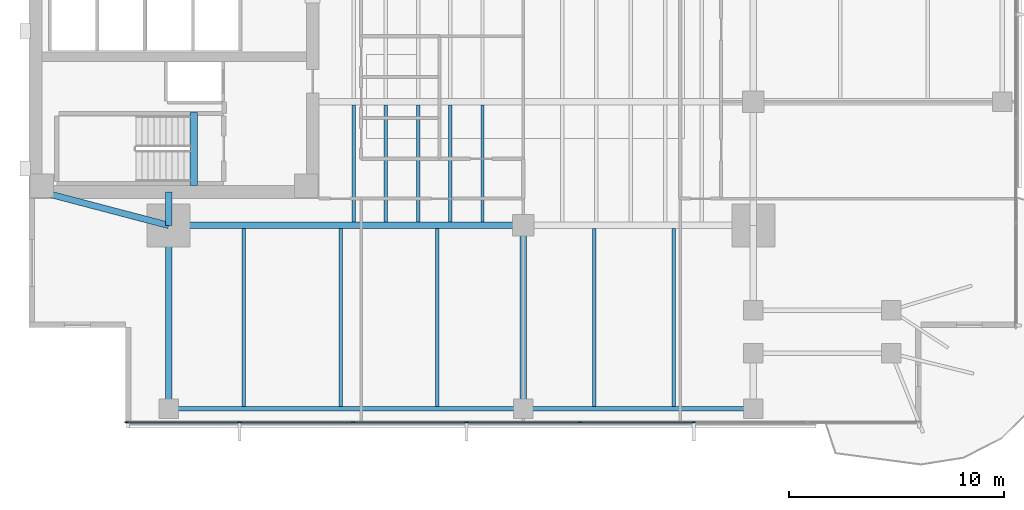
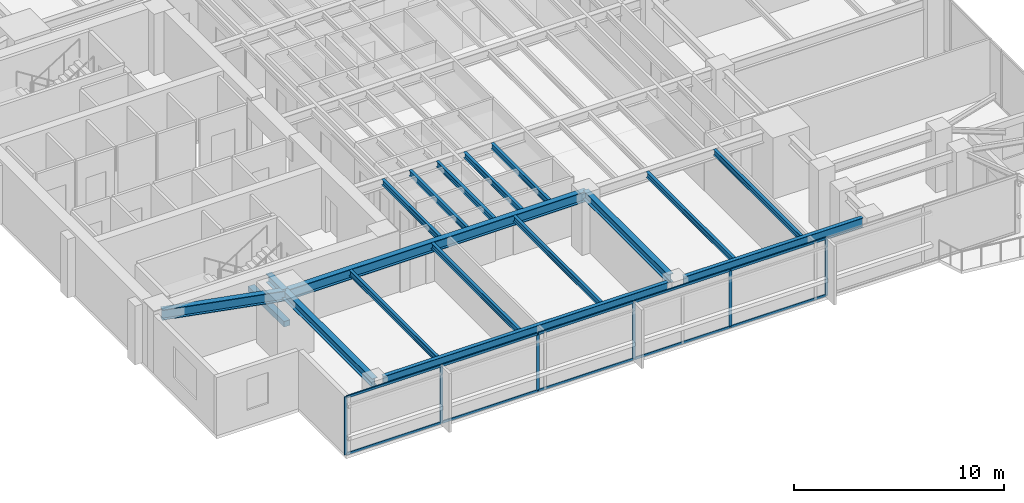
# One storey, part 2 of 14: 18 beams, 16 members, 1 element without a shape of its own.
"""IFC4 building model written with IfcOpenShell, lengths in metres."""

from ifc_helpers import new_model, si_unit, direction, frame, origin, origin_2d, place, context, subcontext, project, spatial, rectangle, i_section, extrude, material, layer, layer_set, material_profile, profile_set, type_object, element, aggregate, save


model = new_model("IFC4")

# Units and contexts
model_context = context("Model", 3, precision=1e-05, world=origin(), true_north=direction((0.0, 1.0)))
body_context = subcontext(model_context, "Body", "Model", "MODEL_VIEW")
ifc_project = project(units=[si_unit("LENGTHUNIT", "METRE"), si_unit("AREAUNIT", "SQUARE_METRE"), si_unit("VOLUMEUNIT", "CUBIC_METRE"), si_unit("PLANEANGLEUNIT", "RADIAN"), si_unit("MASSUNIT", "GRAM", prefix="KILO")], contexts=[model_context])

# Site, building, storey
site_placement = place(None, origin())
site = spatial("IfcSite", under=ifc_project, at=site_placement, CompositionType="ELEMENT")
building_placement = place(site_placement, origin())
building = spatial("IfcBuilding", under=site, at=building_placement, Name="Kinhvarn Gate Tower", CompositionType="ELEMENT")
storey_placement = place(building_placement, frame((0.0, 0.0, 148.39990234375)))
storey = spatial("IfcBuildingStorey", under=building, at=storey_placement, Name="L39", CompositionType="ELEMENT", Elevation=148.39990234375)

# Beam
ifc_material_1 = material(Name="Concrete C50/60", Category="concrete")
ifc_material_profile_1 = material_profile(ifc_material_1, rectangle(XDim=0.340087890625, YDim=0.320068359375, at=origin_2d()), Name="RC 340x320")
ifc_profile_set_1 = profile_set([ifc_material_profile_1], Name="Concrete C50/60")
beam_type_1 = type_object("IfcBeamType", Name="BM-LND-500", PredefinedType="BEAM", material=ifc_profile_set_1)
beam_1_placement = place(storey_placement, frame((12.1650390625, 14.60009765625, -0.159912109375), z_axis=(0.0, 1.0, 0.0), x_axis=(-1.0, 0.0, 0.0)))
element("IfcBeam", 1, at=beam_1_placement, inside=storey, type_object=beam_type_1, Name="Stair ST1 Landing Nosing Beam (L39)", PredefinedType="BEAM", context=body_context, shape_type="SweptSolid", body=[
    extrude(rectangle(XDim=0.340087890625, YDim=0.320068359375, at=origin_2d()), origin(), (0.0, 0.0, 1.0), 3.39990234375),
])

# Curtain wall, members
ifc_material_2 = material(Name="Anodised aluminium AW-6063", Category="aluminium")
ifc_layer = layer(ifc_material_2, 0.179931640625)
ifc_layer_set = layer_set([ifc_layer], Name="Anodised aluminium AW-6063")
curtain_wall_type = type_object("IfcCurtainWallType", Name="CW-SYS-3", PredefinedType="NOTDEFINED", material=ifc_layer_set)
curtain_wall_placement = place(storey_placement, origin())
curtain_wall = element("IfcCurtainWall", 2, at=curtain_wall_placement, inside=storey, type_object=curtain_wall_type, Name="Curtain Wall CW3 (L39)", PredefinedType="NOTDEFINED")
ifc_material_profile_2 = material_profile(ifc_material_2, rectangle(XDim=0.06494140625, YDim=0.159912109375, at=origin_2d()), Name="ALU 65x160")
ifc_profile_set_2 = profile_set([ifc_material_profile_2], Name="Anodised aluminium AW-6063")
member_type_1 = type_object("IfcMemberType", Name="CW-MUL-160", PredefinedType="MULLION", material=ifc_profile_set_2)
member_1_placement = place(storey_placement, frame((9.032470703125, 3.590087890625, 0.0), z_axis=(0.0, 0.0, 1.0), x_axis=(0.0, 1.0, 0.0)))
member_1 = element("IfcMember", 3, at=member_1_placement, type_object=member_type_1, Name="CW3 mullion 1", PredefinedType="MULLION", context=body_context, shape_type="SweptSolid", body=[
    extrude(rectangle(XDim=0.06494140625, YDim=0.159912109375, at=origin_2d()), origin(), (0.0, 0.0, 1.0), 3.3701171875),
])
member_2_placement = place(storey_placement, frame((14.28564453125, 3.590087890625, 0.0), z_axis=(0.0, 0.0, 1.0), x_axis=(0.0, 1.0, 0.0)))
member_2 = element("IfcMember", 4, at=member_2_placement, type_object=member_type_1, Name="CW3 mullion 2", PredefinedType="MULLION", context=body_context, shape_type="SweptSolid", body=[
    extrude(rectangle(XDim=0.06494140625, YDim=0.159912109375, at=origin_2d()), origin(), (0.0, 0.0, 1.0), 3.3701171875),
])
member_3_placement = place(storey_placement, frame((19.571533203125, 3.590087890625, 0.0), z_axis=(0.0, 0.0, 1.0), x_axis=(0.0, 1.0, 0.0)))
member_3 = element("IfcMember", 5, at=member_3_placement, type_object=member_type_1, Name="CW3 mullion 3", PredefinedType="MULLION", context=body_context, shape_type="SweptSolid", body=[
    extrude(rectangle(XDim=0.06494140625, YDim=0.159912109375, at=origin_2d()), origin(), (0.0, 0.0, 1.0), 3.3701171875),
])
member_4_placement = place(storey_placement, frame((24.857177734375, 3.590087890625, 0.0), z_axis=(0.0, 0.0, 1.0), x_axis=(0.0, 1.0, 0.0)))
member_4 = element("IfcMember", 6, at=member_4_placement, type_object=member_type_1, Name="CW3 mullion 4", PredefinedType="MULLION", context=body_context, shape_type="SweptSolid", body=[
    extrude(rectangle(XDim=0.06494140625, YDim=0.159912109375, at=origin_2d()), origin(), (0.0, 0.0, 1.0), 3.3701171875),
])
member_5_placement = place(storey_placement, frame((30.142822265625, 3.590087890625, 0.0), z_axis=(0.0, 0.0, 1.0), x_axis=(0.0, 1.0, 0.0)))
member_5 = element("IfcMember", 7, at=member_5_placement, type_object=member_type_1, Name="CW3 mullion 5", PredefinedType="MULLION", context=body_context, shape_type="SweptSolid", body=[
    extrude(rectangle(XDim=0.06494140625, YDim=0.159912109375, at=origin_2d()), origin(), (0.0, 0.0, 1.0), 3.3701171875),
])
member_6_placement = place(storey_placement, frame((35.428466796875, 3.590087890625, 0.0), z_axis=(0.0, 0.0, 1.0), x_axis=(0.0, 1.0, 0.0)))
member_6 = element("IfcMember", 8, at=member_6_placement, type_object=member_type_1, Name="CW3 mullion 6", PredefinedType="MULLION", context=body_context, shape_type="SweptSolid", body=[
    extrude(rectangle(XDim=0.06494140625, YDim=0.159912109375, at=origin_2d()), origin(), (0.0, 0.0, 1.0), 3.3701171875),
])
ifc_material_profile_3 = material_profile(ifc_material_2, rectangle(XDim=0.070068359375, YDim=0.139892578125, at=origin_2d()), Name="ALU 70x140")
ifc_profile_set_3 = profile_set([ifc_material_profile_3], Name="Anodised aluminium AW-6063")
member_type_2 = type_object("IfcMemberType", Name="CW-TRN-140", PredefinedType="USERDEFINED", material=ifc_profile_set_3)
member_7_placement = place(storey_placement, frame((9.06494140625, 3.590087890625, 0.03515625), z_axis=(1.0, 0.0, 0.0), x_axis=(0.0, 1.0, 0.0)))
member_7 = element("IfcMember", 9, at=member_7_placement, type_object=member_type_2, Name="CW3 transom 1.1", ObjectType="TRANSOM", PredefinedType="USERDEFINED", context=body_context, shape_type="SweptSolid", body=[
    extrude(rectangle(XDim=0.070068359375, YDim=0.139892578125, at=origin_2d()), origin(), (0.0, 0.0, 1.0), 5.188232421875),
])
member_8_placement = place(storey_placement, frame((9.06494140625, 3.590087890625, 3.335205078125), z_axis=(1.0, 0.0, 0.0), x_axis=(0.0, 1.0, 0.0)))
member_8 = element("IfcMember", 10, at=member_8_placement, type_object=member_type_2, Name="CW3 transom 1.2", ObjectType="TRANSOM", PredefinedType="USERDEFINED", context=body_context, shape_type="SweptSolid", body=[
    extrude(rectangle(XDim=0.070068359375, YDim=0.139892578125, at=origin_2d()), origin(), (0.0, 0.0, 1.0), 5.188232421875),
])
member_9_placement = place(storey_placement, frame((14.318115234375, 3.590087890625, 0.03515625), z_axis=(1.0, 0.0, 0.0), x_axis=(0.0, 1.0, 0.0)))
member_9 = element("IfcMember", 11, at=member_9_placement, type_object=member_type_2, Name="CW3 transom 2.1", ObjectType="TRANSOM", PredefinedType="USERDEFINED", context=body_context, shape_type="SweptSolid", body=[
    extrude(rectangle(XDim=0.070068359375, YDim=0.139892578125, at=origin_2d()), origin(), (0.0, 0.0, 1.0), 5.220703125),
])
member_10_placement = place(storey_placement, frame((14.318115234375, 3.590087890625, 3.335205078125), z_axis=(1.0, 0.0, 0.0), x_axis=(0.0, 1.0, 0.0)))
member_10 = element("IfcMember", 12, at=member_10_placement, type_object=member_type_2, Name="CW3 transom 2.2", ObjectType="TRANSOM", PredefinedType="USERDEFINED", context=body_context, shape_type="SweptSolid", body=[
    extrude(rectangle(XDim=0.070068359375, YDim=0.139892578125, at=origin_2d()), origin(), (0.0, 0.0, 1.0), 5.220703125),
])
member_11_placement = place(storey_placement, frame((19.60400390625, 3.590087890625, 0.03515625), z_axis=(1.0, 0.0, 0.0), x_axis=(0.0, 1.0, 0.0)))
member_11 = element("IfcMember", 13, at=member_11_placement, type_object=member_type_2, Name="CW3 transom 3.1", ObjectType="TRANSOM", PredefinedType="USERDEFINED", context=body_context, shape_type="SweptSolid", body=[
    extrude(rectangle(XDim=0.070068359375, YDim=0.139892578125, at=origin_2d()), origin(), (0.0, 0.0, 1.0), 5.220703125),
])
member_12_placement = place(storey_placement, frame((19.60400390625, 3.590087890625, 3.335205078125), z_axis=(1.0, 0.0, 0.0), x_axis=(0.0, 1.0, 0.0)))
member_12 = element("IfcMember", 14, at=member_12_placement, type_object=member_type_2, Name="CW3 transom 3.2", ObjectType="TRANSOM", PredefinedType="USERDEFINED", context=body_context, shape_type="SweptSolid", body=[
    extrude(rectangle(XDim=0.070068359375, YDim=0.139892578125, at=origin_2d()), origin(), (0.0, 0.0, 1.0), 5.220703125),
])
member_13_placement = place(storey_placement, frame((24.8896484375, 3.590087890625, 0.03515625), z_axis=(1.0, 0.0, 0.0), x_axis=(0.0, 1.0, 0.0)))
member_13 = element("IfcMember", 15, at=member_13_placement, type_object=member_type_2, Name="CW3 transom 4.1", ObjectType="TRANSOM", PredefinedType="USERDEFINED", context=body_context, shape_type="SweptSolid", body=[
    extrude(rectangle(XDim=0.070068359375, YDim=0.139892578125, at=origin_2d()), origin(), (0.0, 0.0, 1.0), 5.220703125),
])
member_14_placement = place(storey_placement, frame((24.8896484375, 3.590087890625, 3.335205078125), z_axis=(1.0, 0.0, 0.0), x_axis=(0.0, 1.0, 0.0)))
member_14 = element("IfcMember", 16, at=member_14_placement, type_object=member_type_2, Name="CW3 transom 4.2", ObjectType="TRANSOM", PredefinedType="USERDEFINED", context=body_context, shape_type="SweptSolid", body=[
    extrude(rectangle(XDim=0.070068359375, YDim=0.139892578125, at=origin_2d()), origin(), (0.0, 0.0, 1.0), 5.220703125),
])
member_15_placement = place(storey_placement, frame((30.17529296875, 3.590087890625, 0.03515625), z_axis=(1.0, 0.0, 0.0), x_axis=(0.0, 1.0, 0.0)))
member_15 = element("IfcMember", 17, at=member_15_placement, type_object=member_type_2, Name="CW3 transom 5.1", ObjectType="TRANSOM", PredefinedType="USERDEFINED", context=body_context, shape_type="SweptSolid", body=[
    extrude(rectangle(XDim=0.070068359375, YDim=0.139892578125, at=origin_2d()), origin(), (0.0, 0.0, 1.0), 5.220703125),
])
member_16_placement = place(storey_placement, frame((30.17529296875, 3.590087890625, 3.335205078125), z_axis=(1.0, 0.0, 0.0), x_axis=(0.0, 1.0, 0.0)))
member_16 = element("IfcMember", 18, at=member_16_placement, type_object=member_type_2, Name="CW3 transom 5.2", ObjectType="TRANSOM", PredefinedType="USERDEFINED", context=body_context, shape_type="SweptSolid", body=[
    extrude(rectangle(XDim=0.070068359375, YDim=0.139892578125, at=origin_2d()), origin(), (0.0, 0.0, 1.0), 5.220703125),
])
aggregate(curtain_wall, [member_1, member_2, member_3, member_4, member_5, member_6, member_7, member_8, member_9, member_10, member_11, member_12, member_13, member_14, member_15, member_16])

# Beams
ifc_material_3 = material(Name="Steel S355", Category="steel")
ifc_material_profile_4 = material_profile(ifc_material_3, i_section(OverallWidth=0.300048828125, OverallDepth=0.5, WebThickness=0.014404296875, FlangeThickness=0.028076171875, at=origin_2d()), Name="HEB 500")
ifc_profile_set_4 = profile_set([ifc_material_profile_4], Name="Steel S355")
beam_type_2 = type_object("IfcBeamType", Name="STL-HEB500", PredefinedType="BEAM", material=ifc_profile_set_4)
beam_2_placement = place(storey_placement, frame((11.0, 4.219970703125, 3.1201171875), z_axis=(0.0, 1.0, 0.0), x_axis=(-1.0, 0.0, 0.0)))
element("IfcBeam", 19, at=beam_2_placement, inside=storey, type_object=beam_type_2, Name="Floor Beam PG-14 (L39 MCW-S)", PredefinedType="BEAM", context=body_context, shape_type="SweptSolid", body=[
    extrude(i_section(OverallWidth=0.300048828125, OverallDepth=0.5, WebThickness=0.014404296875, FlangeThickness=0.028076171875, at=origin_2d()), origin(), (0.0, 0.0, 1.0), 8.530029296875),
])
beam_3_placement = place(storey_placement, frame((11.0, 12.75, 3.1201171875), z_axis=(0.0, 1.0, 0.0), x_axis=(-1.0, 0.0, 0.0)))
element("IfcBeam", 20, at=beam_3_placement, inside=storey, type_object=beam_type_2, Name="Floor Beam PG-14 (L39 MCW-CS)", PredefinedType="BEAM", context=body_context, shape_type="SweptSolid", body=[
    extrude(i_section(OverallWidth=0.300048828125, OverallDepth=0.5, WebThickness=0.014404296875, FlangeThickness=0.028076171875, at=origin_2d()), origin(), (0.0, 0.0, 1.0), 1.550048828125),
])
beam_4_placement = place(storey_placement, frame((27.5, 4.655029296875, 3.1201171875), z_axis=(0.0, 1.0, 0.0), x_axis=(-1.0, 0.0, 0.0)))
element("IfcBeam", 21, at=beam_4_placement, inside=storey, type_object=beam_type_2, Name="Floor Beam PG-14 (L39 SP27-S-TIE)", PredefinedType="BEAM", context=body_context, shape_type="SweptSolid", body=[
    extrude(i_section(OverallWidth=0.300048828125, OverallDepth=0.5, WebThickness=0.014404296875, FlangeThickness=0.028076171875, at=origin_2d()), origin(), (0.0, 0.0, 1.0), 8.094970703125),
])
ifc_material_profile_5 = material_profile(ifc_material_3, i_section(OverallWidth=0.300048828125, OverallDepth=0.60009765625, WebThickness=0.015380859375, FlangeThickness=0.030029296875, at=origin_2d()), Name="HEB 600")
ifc_profile_set_5 = profile_set([ifc_material_profile_5], Name="Steel S355")
beam_type_3 = type_object("IfcBeamType", Name="STL-HEB600", PredefinedType="BEAM", material=ifc_profile_set_5)
beam_5_placement = place(storey_placement, frame((11.0, 12.75, 3.070068359375), z_axis=(1.0, 0.0, 0.0), x_axis=(0.0, 1.0, 0.0)))
element("IfcBeam", 22, at=beam_5_placement, inside=storey, type_object=beam_type_3, Name="Floor Beam PG-16 (L39 MG-S1)", PredefinedType="BEAM", context=body_context, shape_type="SweptSolid", body=[
    extrude(i_section(OverallWidth=0.300048828125, OverallDepth=0.60009765625, WebThickness=0.015380859375, FlangeThickness=0.030029296875, at=origin_2d()), origin(), (0.0, 0.0, 1.0), 16.5),
])
beam_6_placement = place(storey_placement, frame((5.10009765625, 14.300048828125, 3.070068359375), z_axis=(0.967177623957, -0.254101246979, 0.0), x_axis=(0.254101246979, 0.967177623957, 0.0)))
element("IfcBeam", 23, at=beam_6_placement, inside=storey, type_object=beam_type_3, Name="Floor Beam PG-16 (L39 MG-SW-DIAG)", PredefinedType="BEAM", context=body_context, shape_type="SweptSolid", body=[
    extrude(i_section(OverallWidth=0.300048828125, OverallDepth=0.60009765625, WebThickness=0.015380859375, FlangeThickness=0.030029296875, at=origin_2d()), origin(), (0.0, 0.0, 1.0), 6.10009765625),
])
ifc_material_profile_6 = material_profile(ifc_material_3, i_section(OverallWidth=0.159912109375, OverallDepth=0.330078125, WebThickness=0.007568359375, FlangeThickness=0.011474609375, at=origin_2d()), Name="IPE 330")
ifc_profile_set_6 = profile_set([ifc_material_profile_6], Name="Steel S355")
beam_type_4 = type_object("IfcBeamType", Name="STL-IPE330", PredefinedType="JOIST", material=ifc_profile_set_6)
for number, where, z_axis, x_axis, name in (
    (24, (19.60009765625, 12.89990234375, 3.205078125), (0.0, 1.0, 0.0), (-1.0, 0.0, 0.0), "Floor Joist SB-03 (L39 JC-X196-0)"),
    (25, (21.10009765625, 12.89990234375, 3.205078125), (0.0, 1.0, 0.0), (-1.0, 0.0, 0.0), "Floor Joist SB-03 (L39 JC-X211-0)"),
    (26, (22.60009765625, 12.89990234375, 3.205078125), (0.0, 1.0, 0.0), (-1.0, 0.0, 0.0), "Floor Joist SB-03 (L39 JC-X226-0)"),
    (27, (24.10009765625, 12.89990234375, 3.205078125), (0.0, 1.0, 0.0), (-1.0, 0.0, 0.0), "Floor Joist SB-03 (L39 JC-X241-0)"),
    (28, (25.60009765625, 12.89990234375, 3.205078125), (0.0, 1.0, 0.0), (-1.0, 0.0, 0.0), "Floor Joist SB-03 (L39 JC-X256-0)"),
):
    element("IfcBeam", number, at=place(storey_placement, frame(where, z_axis=z_axis, x_axis=x_axis)), inside=storey, type_object=beam_type_4, Name=name, PredefinedType="JOIST", context=body_context, shape_type="SweptSolid", body=[
        extrude(i_section(OverallWidth=0.159912109375, OverallDepth=0.330078125, WebThickness=0.007568359375, FlangeThickness=0.011474609375, at=origin_2d()), origin(), (0.0, 0.0, 1.0), 5.4501953125),
    ])
for number, where, z_axis, x_axis, name in (
    (29, (14.5, 4.324951171875, 3.205078125), (0.0, 1.0, 0.0), (-1.0, 0.0, 0.0), "Floor Joist SB-03 (L39 JS-X145)"),
    (30, (19.0, 4.324951171875, 3.205078125), (0.0, 1.0, 0.0), (-1.0, 0.0, 0.0), "Floor Joist SB-03 (L39 JS-X190)"),
    (31, (23.5, 4.324951171875, 3.205078125), (0.0, 1.0, 0.0), (-1.0, 0.0, 0.0), "Floor Joist SB-03 (L39 JS-X235)"),
    (32, (30.800048828125, 4.324951171875, 3.205078125), (0.0, 1.0, 0.0), (-1.0, 0.0, 0.0), "Floor Joist SB-03 (L39 JS-X308)"),
    (33, (34.5, 4.324951171875, 3.205078125), (0.0, 1.0, 0.0), (-1.0, 0.0, 0.0), "Floor Joist SB-03 (L39 JS-X345)"),
):
    element("IfcBeam", number, at=place(storey_placement, frame(where, z_axis=z_axis, x_axis=x_axis)), inside=storey, type_object=beam_type_4, Name=name, PredefinedType="JOIST", context=body_context, shape_type="SweptSolid", body=[
        extrude(i_section(OverallWidth=0.159912109375, OverallDepth=0.330078125, WebThickness=0.007568359375, FlangeThickness=0.011474609375, at=origin_2d()), origin(), (0.0, 0.0, 1.0), 8.275146484375),
    ])
ifc_material_profile_7 = material_profile(ifc_material_3, i_section(OverallWidth=0.2099609375, OverallDepth=0.550048828125, WebThickness=0.010986328125, FlangeThickness=0.01708984375, at=origin_2d()), Name="IPE 550")
ifc_profile_set_7 = profile_set([ifc_material_profile_7], Name="Steel S355")
beam_type_5 = type_object("IfcBeamType", Name="STL-IPE550", PredefinedType="SPANDREL", material=ifc_profile_set_7)
beam_7_placement = place(storey_placement, frame((11.43505859375, 4.219970703125, 3.09521484375), z_axis=(1.0, 0.0, 0.0), x_axis=(0.0, 1.0, 0.0)))
element("IfcBeam", 34, at=beam_7_placement, inside=storey, type_object=beam_type_5, Name="Floor Spandrel SB-08 (L39 SP-S1)", PredefinedType="SPANDREL", context=body_context, shape_type="SweptSolid", body=[
    extrude(i_section(OverallWidth=0.2099609375, OverallDepth=0.550048828125, WebThickness=0.010986328125, FlangeThickness=0.01708984375, at=origin_2d()), origin(), (0.0, 0.0, 1.0), 15.6298828125),
])
beam_8_placement = place(storey_placement, frame((27.93505859375, 4.219970703125, 3.09521484375), z_axis=(1.0, 0.0, 0.0), x_axis=(0.0, 1.0, 0.0)))
element("IfcBeam", 35, at=beam_8_placement, inside=storey, type_object=beam_type_5, Name="Floor Spandrel SB-08 (L39 SP-S2)", PredefinedType="SPANDREL", context=body_context, shape_type="SweptSolid", body=[
    extrude(i_section(OverallWidth=0.2099609375, OverallDepth=0.550048828125, WebThickness=0.010986328125, FlangeThickness=0.01708984375, at=origin_2d()), origin(), (0.0, 0.0, 1.0), 9.829833984375),
])

save(model, "model.ifc")
